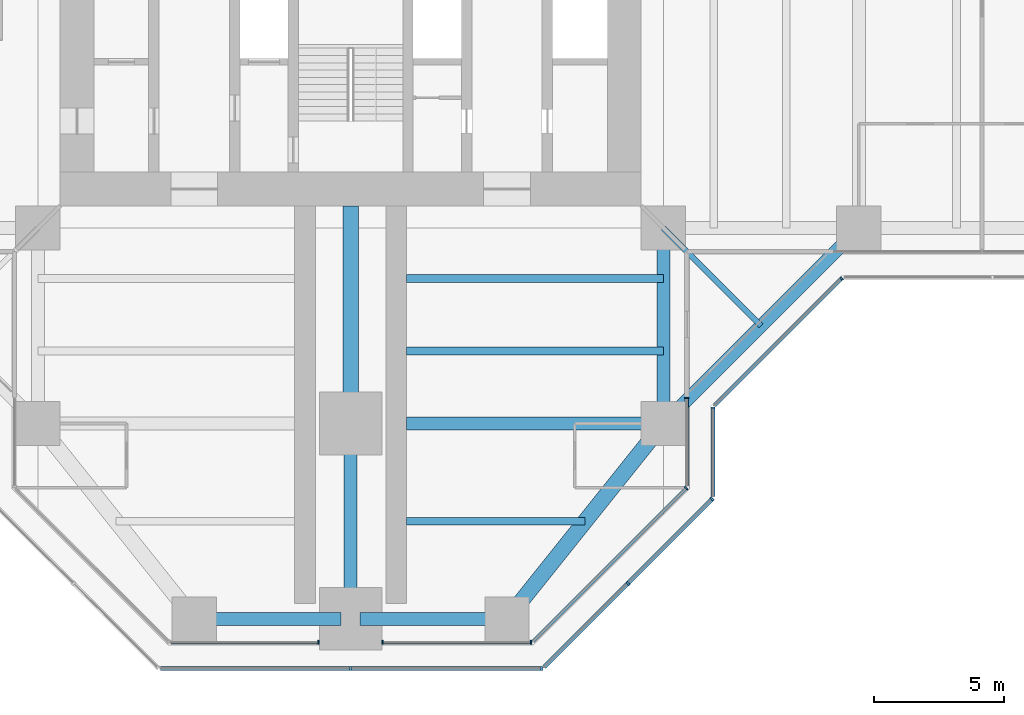
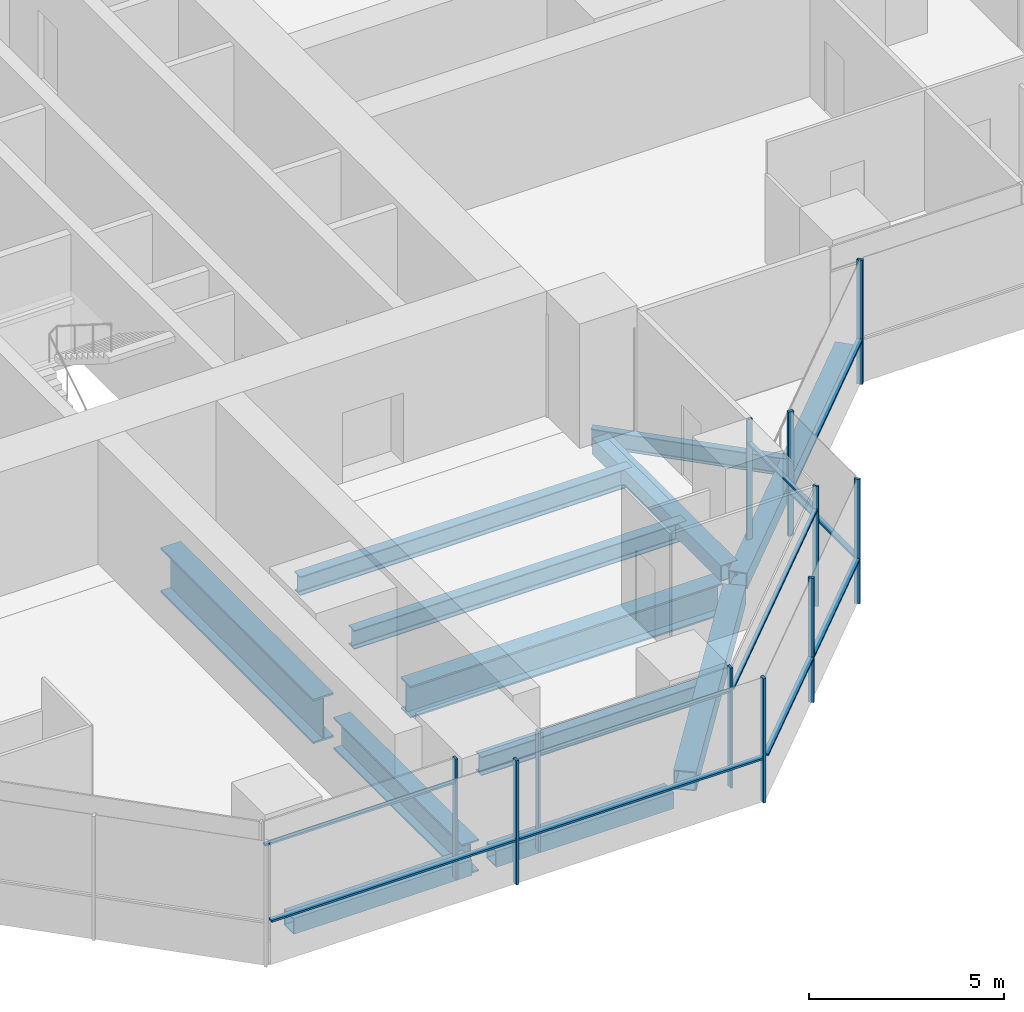
# One storey, part 4 of 20: 21 members, 12 beams, 8 elements without a shape of their own.
"""IFC4 building model written with IfcOpenShell, lengths in metres."""

import ifcopenshell
import ifcopenshell.guid

model = None  # the IFC model being written
_history = None  # IfcOwnerHistory: only IFC2X3 demands one
_inside = {}  # id of a spatial element -> (the spatial element, [elements in it])
_under = {}  # id of a project, library or spatial element -> (it, [spatial elements below it])
_declared = {}  # id of a project -> (the project, [libraries it declares])
_typed = {}  # id of a type object -> (the type object, [elements of that type])
_made_of = {}  # id of a material, layer set ... -> (it, [elements and type objects made of it])


def new_model(schema):
    """Start an empty IFC model of exactly this schema.

    Asked for "IFC4X3", IfcOpenShell would pick the latest addendum, in which some entities
    have other attributes; the version numbers below select the first issue.
    IFC2X3 requires an IfcOwnerHistory on every rooted entity: one is made here for all.
    """
    global model, _history
    if schema == "IFC4X3":
        model = ifcopenshell.file(schema_version=(4, 3, 0, 0))
    else:
        model = ifcopenshell.file(schema=schema)
    _inside.clear()
    _under.clear()
    _declared.clear()
    _typed.clear()
    _made_of.clear()
    _history = None
    if model.schema == "IFC2X3":
        org = make("IfcOrganization", Name="unknown")
        user = make(
            "IfcPersonAndOrganization",
            ThePerson=make("IfcPerson", FamilyName="unknown"),
            TheOrganization=org,
        )
        app = make(
            "IfcApplication",
            ApplicationDeveloper=org,
            Version="unknown",
            ApplicationFullName="unknown",
            ApplicationIdentifier="unknown",
        )
        _history = make(
            "IfcOwnerHistory",
            OwningUser=user,
            OwningApplication=app,
            ChangeAction="ADDED",
            CreationDate=0,
        )
    return model


def make(cls, **values):
    """One entity of the class cls with the attributes given. An attribute that is None is left unset."""
    return model.create_entity(
        cls, **{name: value for name, value in values.items() if value is not None}
    )


def rooted(cls, **values):
    """An entity with a GlobalId (a new one), such as an element, a storey or a relation."""
    return make(cls, GlobalId=ifcopenshell.guid.new(), OwnerHistory=_history, **values)


def si_unit(unit_type, name, prefix=None):
    """IfcSIUnit, for example si_unit("LENGTHUNIT", "METRE", prefix="MILLI")."""
    return make("IfcSIUnit", UnitType=unit_type, Prefix=prefix, Name=name)


def assignment(units):
    """IfcUnitAssignment: the units of a project."""
    return None if units is None else make("IfcUnitAssignment", Units=units)


def point(xyz):
    """IfcCartesianPoint."""
    return None if xyz is None else make("IfcCartesianPoint", Coordinates=xyz)


def direction(xyz):
    """IfcDirection."""
    return None if xyz is None else make("IfcDirection", DirectionRatios=xyz)


def frame(location, z_axis=None, x_axis=None):
    """IfcAxis2Placement3D, a coordinate frame: its origin and axes. An axis left out is left unset."""
    return make(
        "IfcAxis2Placement3D",
        Location=point(location),
        Axis=direction(z_axis),
        RefDirection=direction(x_axis),
    )


def frame_2d(location, x_axis=None):
    """IfcAxis2Placement2D, a coordinate frame in the plane: its origin and x axis."""
    return make(
        "IfcAxis2Placement2D", Location=point(location), RefDirection=direction(x_axis)
    )


def origin():
    """The frame at (0, 0, 0) with its axes left unset."""
    return frame((0.0, 0.0, 0.0))


def origin_2d():
    """The frame at (0, 0) in the plane with its x axis left unset."""
    return frame_2d((0.0, 0.0))


def place(relative_to, where):
    """IfcLocalPlacement: puts the frame where relative to a parent placement (None: the world)."""
    return make(
        "IfcLocalPlacement", PlacementRelTo=relative_to, RelativePlacement=where
    )


def context(
    kind, dimensions, precision=None, world=None, true_north=None, identifier=None
):
    """IfcGeometricRepresentationContext, for example the 3D "Model" context."""
    return make(
        "IfcGeometricRepresentationContext",
        ContextIdentifier=identifier,
        ContextType=kind,
        CoordinateSpaceDimension=dimensions,
        Precision=precision,
        WorldCoordinateSystem=world,
        TrueNorth=true_north,
    )


def subcontext(parent, identifier, kind, view, scale=None):
    """IfcGeometricRepresentationSubContext, for example "Body" below "Model"."""
    return make(
        "IfcGeometricRepresentationSubContext",
        ContextIdentifier=identifier,
        ContextType=kind,
        ParentContext=parent,
        TargetScale=scale,
        TargetView=view,
    )


def project(units=None, contexts=None):
    """IfcProject with its units and contexts."""
    return rooted(
        "IfcProject",
        Name="project",
        RepresentationContexts=contexts,
        UnitsInContext=assignment(units),
    )


def spatial(cls, under=None, at=None, **own):
    """A site, building, storey or space (cls), placed at a placement, below another one or the project."""
    s = rooted(cls, ObjectPlacement=at, **own)
    if under is not None:
        _under.setdefault(under.id(), (under, []))[1].append(s)
    return s


def profile(cls, at=None, kind="AREA", **sizes):
    """A parametric profile (cls). Its sizes go by their IFC names, for example OverallWidth=200.0."""
    return make(cls, ProfileType=kind, Position=at, **sizes)


def rectangle(**sizes):
    """IfcRectangleProfileDef."""
    return profile("IfcRectangleProfileDef", **sizes)


def hollow_rectangle(**sizes):
    """IfcRectangleHollowProfileDef."""
    return profile("IfcRectangleHollowProfileDef", **sizes)


def i_section(**sizes):
    """IfcIShapeProfileDef."""
    return profile("IfcIShapeProfileDef", **sizes)


def extrude(swept, where, along, depth):
    """IfcExtrudedAreaSolid: the profile swept, set in the frame where, extruded along a direction by depth."""
    return make(
        "IfcExtrudedAreaSolid",
        SweptArea=swept,
        Position=where,
        ExtrudedDirection=direction(along),
        Depth=depth,
    )


def shape(context_of_items, identifier, shape_type, items):
    """IfcShapeRepresentation: the items that make up one representation, for example the "Body"."""
    return make(
        "IfcShapeRepresentation",
        ContextOfItems=context_of_items,
        RepresentationIdentifier=identifier,
        RepresentationType=shape_type,
        Items=items,
    )


def material(Name=None, Category=None):
    """IfcMaterial."""
    return make("IfcMaterial", Name=Name, Category=Category)


def material_profile(
    of_material, cross_section, Name=None, Category=None, Priority=None
):
    """IfcMaterialProfile: a cross section and its material."""
    return make(
        "IfcMaterialProfile",
        Name=Name,
        Material=of_material,
        Profile=cross_section,
        Priority=Priority,
        Category=Category,
    )


def profile_set(profiles, Name=None, composite=None):
    """IfcMaterialProfileSet."""
    return make(
        "IfcMaterialProfileSet",
        Name=Name,
        MaterialProfiles=profiles,
        CompositeProfile=composite,
    )


def made_of(thing, what):
    """Note that an element or type object is made of a material, layer set ...; save() writes the relation."""
    if what is not None:
        _made_of.setdefault(what.id(), (what, []))[1].append(thing)
    return thing


def type_object(cls, material=None, **own):
    """A type object (cls), such as IfcWallType, which elements share."""
    return made_of(rooted(cls, **own), material)


def element(
    cls,
    number,
    at=None,
    inside=None,
    cuts=None,
    type_object=None,
    material=None,
    context=None,
    identifier="Body",
    shape_type=None,
    held_by="IfcProductDefinitionShape",
    body=None,
    shapes=None,
    **own,
):
    """One element of the class cls, such as IfcWall. Its Tag is "e" and its number.

    at: its placement. inside: the storey or other place that contains it. cuts: it is an
    opening in that element (IfcRelVoidsElement). A single representation is given by context,
    identifier, shape_type and body (its items); several are given by shapes. held_by: the class
    of the entity that holds the representations. save() writes the other relations.
    """
    e = rooted(cls, Tag="e%d" % number, ObjectPlacement=at, **own)
    if body is not None:
        shapes = [shape(context, identifier, shape_type, body)]
    if shapes is not None:
        e.Representation = make(held_by, Representations=shapes)
    if inside is not None:
        _inside.setdefault(inside.id(), (inside, []))[1].append(e)
    if cuts is not None:
        rooted(
            "IfcRelVoidsElement", RelatingBuildingElement=cuts, RelatedOpeningElement=e
        )
    if type_object is not None:
        _typed.setdefault(type_object.id(), (type_object, []))[1].append(e)
    return made_of(e, material)


def aggregate(whole, parts):
    """IfcRelAggregates: a whole, such as a stair, and the parts it consists of."""
    return rooted("IfcRelAggregates", RelatingObject=whole, RelatedObjects=parts)


def save(model, path):
    """Write the relations noted so far, then the file.

    IfcRelAggregates (storeys below a building ...), IfcRelContainedInSpatialStructure (elements
    in a storey), IfcRelDefinesByType, IfcRelAssociatesMaterial and IfcRelDeclares: one each for
    every whole, place, type object, material and project.
    """
    for whole, parts in _under.values():
        aggregate(whole, parts)
    for where, things in _inside.values():
        rooted(
            "IfcRelContainedInSpatialStructure",
            RelatedElements=things,
            RelatingStructure=where,
        )
    for kind, things in _typed.values():
        rooted("IfcRelDefinesByType", RelatedObjects=things, RelatingType=kind)
    for what, things in _made_of.values():
        rooted("IfcRelAssociatesMaterial", RelatedObjects=things, RelatingMaterial=what)
    for by, libraries in _declared.values():
        rooted("IfcRelDeclares", RelatingContext=by, RelatedDefinitions=libraries)
    model.write(path)


model = new_model("IFC4")

# Units and contexts
model_context = context("Model", 3, precision=1e-05, world=origin(), true_north=direction((0.0, 1.0)))
body_context = subcontext(model_context, "Body", "Model", "MODEL_VIEW")
ifc_project = project(units=[si_unit("LENGTHUNIT", "METRE"), si_unit("AREAUNIT", "SQUARE_METRE"), si_unit("VOLUMEUNIT", "CUBIC_METRE"), si_unit("PLANEANGLEUNIT", "RADIAN"), si_unit("MASSUNIT", "GRAM", prefix="KILO")], contexts=[model_context])

# Site, building, storey
site_placement = place(None, origin())
site = spatial("IfcSite", under=ifc_project, at=site_placement, CompositionType="ELEMENT")
building_placement = place(site_placement, origin())
building = spatial("IfcBuilding", under=site, at=building_placement, Name="Mizan Broadcast Tower", CompositionType="ELEMENT")
storey_placement = place(building_placement, frame((0.0, 0.0, 139.800048828125)))
storey = spatial("IfcBuildingStorey", under=building, at=storey_placement, Name="L31", CompositionType="ELEMENT", Elevation=139.800048828125)

# Beams
ifc_material_1 = material(Name="Steel S355", Category="steel")
ifc_material_profile_1 = material_profile(ifc_material_1, hollow_rectangle(XDim=0.5, YDim=0.5, WallThickness=0.030029296875, at=origin_2d()), Name="BOX 500x500x30")
ifc_profile_set_1 = profile_set([ifc_material_profile_1], Name="Steel S355")
beam_type_1 = type_object("IfcBeamType", Name="EDGE BEAM BOX 500x500x30", PredefinedType="SPANDREL", material=ifc_profile_set_1)
beam_1_placement = place(storey_placement, frame((-5.639892578125, -27.0, -0.380126953125), z_axis=(1.0, 0.0, 0.0), x_axis=(0.0, 1.0, 0.0)))
element("IfcBeam", 1, at=beam_1_placement, inside=storey, type_object=beam_type_1, Name="Edge beam BOX 500x500x30 L31 south arm", PredefinedType="SPANDREL", context=body_context, shape_type="SweptSolid", body=[
    extrude(hollow_rectangle(XDim=0.5, YDim=0.5, WallThickness=0.030029296875, at=origin_2d()), origin(), (0.0, 0.0, 1.0), 5.27978515625),
])
beam_2_placement = place(storey_placement, frame((12.0, -12.449951171875, -0.380126953125), z_axis=(0.0, -1.0, 0.0), x_axis=(1.0, 0.0, 0.0)))
element("IfcBeam", 2, at=beam_2_placement, inside=storey, type_object=beam_type_1, Name="Edge beam BOX 500x500x30 L31 south arm", PredefinedType="SPANDREL", context=body_context, shape_type="SweptSolid", body=[
    extrude(hollow_rectangle(XDim=0.5, YDim=0.5, WallThickness=0.030029296875, at=origin_2d()), origin(), (0.0, 0.0, 1.0), 6.60009765625),
])
beam_3_placement = place(storey_placement, frame((5.639892578125, -27.0, -0.380126953125), z_axis=(-1.0, 0.0, 0.0), x_axis=(0.0, -1.0, 0.0)))
element("IfcBeam", 3, at=beam_3_placement, inside=storey, type_object=beam_type_1, Name="Edge beam BOX 500x500x30 L31 south arm", PredefinedType="SPANDREL", context=body_context, shape_type="SweptSolid", body=[
    extrude(hollow_rectangle(XDim=0.5, YDim=0.5, WallThickness=0.030029296875, at=origin_2d()), origin(), (0.0, 0.0, 1.0), 5.27978515625),
])
beam_4_placement = place(storey_placement, frame((12.0, -19.5, -0.380126953125), z_axis=(0.707106781187, 0.707106781187, 0.0), x_axis=(-0.707106781187, 0.707106781187, 0.0)))
element("IfcBeam", 4, at=beam_4_placement, inside=storey, type_object=beam_type_1, Name="Winter garden edge beam L31 S", PredefinedType="SPANDREL", context=body_context, shape_type="SweptSolid", body=[
    extrude(hollow_rectangle(XDim=0.5, YDim=0.5, WallThickness=0.030029296875, at=origin_2d()), origin(), (0.0, 0.0, 1.0), 10.606689453125),
])
ifc_material_2 = material(Name="Steel S355", Category="steel")
ifc_material_profile_2 = material_profile(ifc_material_2, hollow_rectangle(XDim=0.60009765625, YDim=0.60009765625, WallThickness=0.030029296875, at=origin_2d()), Name="BOX 600x600x30")
ifc_profile_set_2 = profile_set([ifc_material_profile_2], Name="Steel S355")
beam_type_2 = type_object("IfcBeamType", Name="EDGE BEAM BOX 600x600x30", PredefinedType="SPANDREL", material=ifc_profile_set_2)
beam_5_placement = place(storey_placement, frame((11.639892578125, -19.949951171875, -0.429931640625), z_axis=(-0.624673911726, -0.780885717636, 0.0), x_axis=(0.780885717636, -0.624673911726, 0.0)))
element("IfcBeam", 5, at=beam_5_placement, inside=storey, type_object=beam_type_2, Name="Edge beam BOX 600x600x30 L31 south arm", PredefinedType="SPANDREL", context=body_context, shape_type="SweptSolid", body=[
    extrude(hollow_rectangle(XDim=0.60009765625, YDim=0.60009765625, WallThickness=0.030029296875, at=origin_2d()), origin(), (0.0, 0.0, 1.0), 8.4521484375),
])
ifc_material_3 = material(Name="Steel S460", Category="steel")
ifc_material_profile_3 = material_profile(ifc_material_3, i_section(OverallWidth=0.5, OverallDepth=1.0, WebThickness=0.02490234375, FlangeThickness=0.050048828125, at=origin_2d()), Name="WPG 1000x500")
ifc_profile_set_3 = profile_set([ifc_material_profile_3], Name="Steel S460")
beam_type_3 = type_object("IfcBeamType", Name="GIRDER WPG 1000x500", PredefinedType="BEAM", material=ifc_profile_set_3)
beam_6_placement = place(storey_placement, frame((0.0, -19.949951171875, -0.630126953125), z_axis=(0.0, -1.0, 0.0), x_axis=(1.0, 0.0, 0.0)))
element("IfcBeam", 6, at=beam_6_placement, inside=storey, type_object=beam_type_3, Name="Girder WPG 1000x500 L31 south arm", PredefinedType="BEAM", context=body_context, shape_type="SweptSolid", body=[
    extrude(i_section(OverallWidth=0.5, OverallDepth=1.0, WebThickness=0.02490234375, FlangeThickness=0.050048828125, at=origin_2d()), origin(), (0.0, 0.0, 1.0), 6.60009765625),
])
beam_7_placement = place(storey_placement, frame((11.408935546875, -19.5, -0.630126953125), z_axis=(-1.0, 0.0, 0.0), x_axis=(0.0, -1.0, 0.0)))
element("IfcBeam", 7, at=beam_7_placement, inside=storey, type_object=beam_type_3, Name="Girder WPG 1000x500 L31 south arm", PredefinedType="BEAM", context=body_context, shape_type="SweptSolid", body=[
    extrude(i_section(OverallWidth=0.5, OverallDepth=1.0, WebThickness=0.02490234375, FlangeThickness=0.050048828125, at=origin_2d()), origin(), (0.0, 0.0, 1.0), 9.259033203125),
])
ifc_material_4 = material(Name="Steel S460", Category="steel")
ifc_material_profile_4 = material_profile(ifc_material_4, i_section(OverallWidth=0.60009765625, OverallDepth=1.39990234375, WebThickness=0.02490234375, FlangeThickness=0.06005859375, at=origin_2d()), Name="WPG 1400x600")
ifc_profile_set_4 = profile_set([ifc_material_profile_4], Name="Steel S460")
beam_type_4 = type_object("IfcBeamType", Name="GIRDER WPG 1400x600", PredefinedType="BEAM", material=ifc_profile_set_4)
beam_8_placement = place(storey_placement, frame((0.0, -11.14990234375, -0.830078125), z_axis=(0.0, -1.0, 0.0), x_axis=(1.0, 0.0, 0.0)))
element("IfcBeam", 8, at=beam_8_placement, inside=storey, type_object=beam_type_4, Name="Girder WPG 1400x600 L31 south arm", PredefinedType="BEAM", context=body_context, shape_type="SweptSolid", body=[
    extrude(i_section(OverallWidth=0.60009765625, OverallDepth=1.39990234375, WebThickness=0.02490234375, FlangeThickness=0.06005859375, at=origin_2d()), origin(), (0.0, 0.0, 1.0), 7.84912109375),
])

# Curtain wall, member
ifc_material_5 = material(Name="Aluminium framed glazing", Category="aluminium")
curtain_wall_type_1 = type_object("IfcCurtainWallType", Name="INNER SKIN MID ZONE", PredefinedType="USERDEFINED", material=ifc_material_5)
curtain_wall_1_placement = place(storey_placement, origin())
curtain_wall_1 = element("IfcCurtainWall", 9, at=curtain_wall_1_placement, inside=storey, type_object=curtain_wall_type_1, Name="Inner skin mid zone L31 S end", ObjectType="INNER SKIN MID ZONE", PredefinedType="USERDEFINED")
ifc_material_6 = material(Name="Aluminium, pale anodised", Category="aluminium")
ifc_material_profile_5 = material_profile(ifc_material_6, rectangle(XDim=0.159912109375, YDim=0.06005859375, at=origin_2d()), Name="MULLION 160x60")
ifc_profile_set_5 = profile_set([ifc_material_profile_5], Name="Aluminium, pale anodised")
member_type_1 = type_object("IfcMemberType", Name="INNER SKIN MULLION 60x160", PredefinedType="MULLION", material=ifc_profile_set_5)
member_1_placement = place(storey_placement, frame((-1.22998046875, -27.89990234375, 0.0), z_axis=(0.0, 0.0, 1.0), x_axis=(0.0, 1.0, 0.0)))
member_1 = element("IfcMember", 10, at=member_1_placement, type_object=member_type_1, Name="Inner skin mid zone L31 S end mullion 2", PredefinedType="MULLION", context=body_context, shape_type="SweptSolid", body=[
    extrude(rectangle(XDim=0.159912109375, YDim=0.06005859375, at=origin_2d()), origin(), (0.0, 0.0, 1.0), 3.77001953125),
])

# Curtain wall, members
curtain_wall_2_placement = place(storey_placement, origin())
curtain_wall_2 = element("IfcCurtainWall", 11, at=curtain_wall_2_placement, inside=storey, type_object=curtain_wall_type_1, Name="Inner skin mid zone L31 S end", ObjectType="INNER SKIN MID ZONE", PredefinedType="USERDEFINED")
member_2_placement = place(storey_placement, frame((1.22998046875, -27.89990234375, 0.0), z_axis=(0.0, 0.0, 1.0), x_axis=(0.0, 1.0, 0.0)))
member_2 = element("IfcMember", 12, at=member_2_placement, type_object=member_type_1, Name="Inner skin mid zone L31 S end mullion 1", PredefinedType="MULLION", context=body_context, shape_type="SweptSolid", body=[
    extrude(rectangle(XDim=0.159912109375, YDim=0.06005859375, at=origin_2d()), origin(), (0.0, 0.0, 1.0), 3.77001953125),
])
member_3_placement = place(storey_placement, frame((6.928466796875, -27.89990234375, 0.0), z_axis=(0.0, 0.0, 1.0), x_axis=(0.0, 1.0, 0.0)))
member_3 = element("IfcMember", 13, at=member_3_placement, type_object=member_type_1, Name="Inner skin mid zone L31 S end mullion 2", PredefinedType="MULLION", context=body_context, shape_type="SweptSolid", body=[
    extrude(rectangle(XDim=0.159912109375, YDim=0.06005859375, at=origin_2d()), origin(), (0.0, 0.0, 1.0), 3.77001953125),
])

# Curtain wall, member
curtain_wall_3_placement = place(storey_placement, origin())
curtain_wall_3 = element("IfcCurtainWall", 14, at=curtain_wall_3_placement, inside=storey, type_object=curtain_wall_type_1, Name="Inner skin mid zone L31 S chamfer", ObjectType="INNER SKIN MID ZONE", PredefinedType="USERDEFINED")
member_4_placement = place(storey_placement, frame((12.87890625, -21.979736328125, 0.0), z_axis=(0.0, 0.0, 1.0), x_axis=(-0.707106781187, 0.707106781187, 0.0)))
member_4 = element("IfcMember", 15, at=member_4_placement, type_object=member_type_1, Name="Inner skin mid zone L31 S chamfer mullion 2", PredefinedType="MULLION", context=body_context, shape_type="SweptSolid", body=[
    extrude(rectangle(XDim=0.159912109375, YDim=0.06005859375, at=origin_2d()), origin(), (0.0, 0.0, 1.0), 3.77001953125),
])

curtain_wall_4_placement = place(storey_placement, origin())
curtain_wall_4 = element("IfcCurtainWall", 16, at=curtain_wall_4_placement, inside=storey, type_object=curtain_wall_type_1, Name="Inner skin mid zone L31 S side", ObjectType="INNER SKIN MID ZONE", PredefinedType="USERDEFINED")
member_5_placement = place(storey_placement, frame((12.89990234375, -18.530029296875, 0.0), z_axis=(0.0, 0.0, 1.0), x_axis=(-1.0, 0.0, 0.0)))
member_5 = element("IfcMember", 17, at=member_5_placement, type_object=member_type_1, Name="Inner skin mid zone L31 S side mullion 2", PredefinedType="MULLION", context=body_context, shape_type="SweptSolid", body=[
    extrude(rectangle(XDim=0.159912109375, YDim=0.06005859375, at=origin_2d()), origin(), (0.0, 0.0, 1.0), 3.77001953125),
])

# Member
ifc_material_7 = material(Name="Aluminium, pale anodised", Category="aluminium")
ifc_material_profile_6 = material_profile(ifc_material_7, rectangle(XDim=0.1201171875, YDim=0.06005859375, at=origin_2d()), Name="TRANSOM 120x60")
ifc_profile_set_6 = profile_set([ifc_material_profile_6], Name="Aluminium, pale anodised")
member_type_2 = type_object("IfcMemberType", Name="INNER SKIN TRANSOM 60x120", PredefinedType="USERDEFINED", material=ifc_profile_set_6)
member_6_placement = place(storey_placement, frame((-6.898681640625, -27.89990234375, 3.030029296875), z_axis=(1.0, 0.0, 0.0), x_axis=(0.0, 1.0, 0.0)))
member_6 = element("IfcMember", 18, at=member_6_placement, type_object=member_type_2, Name="Inner skin mid zone L31 S end transom 1.1", ObjectType="TRANSOM", PredefinedType="USERDEFINED", context=body_context, shape_type="SweptSolid", body=[
    extrude(rectangle(XDim=0.1201171875, YDim=0.06005859375, at=origin_2d()), origin(), (0.0, 0.0, 1.0), 5.638671875),
])

aggregate(curtain_wall_1, [member_1, member_6])

member_7_placement = place(storey_placement, frame((1.260009765625, -27.89990234375, 3.030029296875), z_axis=(1.0, 0.0, 0.0), x_axis=(0.0, 1.0, 0.0)))
member_7 = element("IfcMember", 19, at=member_7_placement, type_object=member_type_2, Name="Inner skin mid zone L31 S end transom 1.1", ObjectType="TRANSOM", PredefinedType="USERDEFINED", context=body_context, shape_type="SweptSolid", body=[
    extrude(rectangle(XDim=0.1201171875, YDim=0.06005859375, at=origin_2d()), origin(), (0.0, 0.0, 1.0), 5.638671875),
])

aggregate(curtain_wall_2, [member_2, member_3, member_7])

member_8_placement = place(storey_placement, frame((7.0009765625, -27.857666015625, 3.030029296875), z_axis=(0.707106781187, 0.707106781187, 0.0), x_axis=(-0.707106781187, 0.707106781187, 0.0)))
member_8 = element("IfcMember", 20, at=member_8_placement, type_object=member_type_2, Name="Inner skin mid zone L31 S chamfer transom 1.1", ObjectType="TRANSOM", PredefinedType="USERDEFINED", context=body_context, shape_type="SweptSolid", body=[
    extrude(rectangle(XDim=0.1201171875, YDim=0.06005859375, at=origin_2d()), origin(), (0.0, 0.0, 1.0), 8.28271484375),
])

aggregate(curtain_wall_3, [member_4, member_8])

member_9_placement = place(storey_placement, frame((12.89990234375, -21.898681640625, 3.030029296875), z_axis=(0.0, 1.0, 0.0), x_axis=(-1.0, 0.0, 0.0)))
member_9 = element("IfcMember", 21, at=member_9_placement, type_object=member_type_2, Name="Inner skin mid zone L31 S side transom 1.1", ObjectType="TRANSOM", PredefinedType="USERDEFINED", context=body_context, shape_type="SweptSolid", body=[
    extrude(rectangle(XDim=0.1201171875, YDim=0.06005859375, at=origin_2d()), origin(), (0.0, 0.0, 1.0), 3.338623046875),
])

aggregate(curtain_wall_4, [member_5, member_9])

# Curtain wall, members
ifc_material_8 = material(Name="Aluminium framed glazing", Category="aluminium")
curtain_wall_type_2 = type_object("IfcCurtainWallType", Name="OUTER SKIN", PredefinedType="USERDEFINED", material=ifc_material_8)
curtain_wall_5_placement = place(storey_placement, origin())
curtain_wall_5 = element("IfcCurtainWall", 22, at=curtain_wall_5_placement, inside=storey, type_object=curtain_wall_type_2, Name="Outer skin L31 S end", ObjectType="OUTER SKIN", PredefinedType="USERDEFINED")
ifc_material_9 = material(Name="Aluminium, pale anodised", Category="aluminium")
ifc_material_profile_7 = material_profile(ifc_material_9, rectangle(XDim=0.159912109375, YDim=0.080078125, at=origin_2d()), Name="MULLION 160x80")
ifc_profile_set_7 = profile_set([ifc_material_profile_7], Name="Aluminium, pale anodised")
member_type_3 = type_object("IfcMemberType", Name="OUTER SKIN MULLION 80x160", PredefinedType="MULLION", material=ifc_profile_set_7)
member_10_placement = place(storey_placement, frame((0.0, -28.89990234375, 0.0), z_axis=(0.0, 0.0, 1.0), x_axis=(0.0, 1.0, 0.0)))
member_10 = element("IfcMember", 23, at=member_10_placement, type_object=member_type_3, Name="Outer skin L31 S end mullion 2", PredefinedType="MULLION", context=body_context, shape_type="SweptSolid", body=[
    extrude(rectangle(XDim=0.159912109375, YDim=0.080078125, at=origin_2d()), origin(), (0.0, 0.0, 1.0), 3.89990234375),
])
member_11_placement = place(storey_placement, frame((7.332763671875, -28.89990234375, 0.0), z_axis=(0.0, 0.0, 1.0), x_axis=(0.0, 1.0, 0.0)))
member_11 = element("IfcMember", 24, at=member_11_placement, type_object=member_type_3, Name="Outer skin L31 S end mullion 3", PredefinedType="MULLION", context=body_context, shape_type="SweptSolid", body=[
    extrude(rectangle(XDim=0.159912109375, YDim=0.080078125, at=origin_2d()), origin(), (0.0, 0.0, 1.0), 3.89990234375),
])

curtain_wall_6_placement = place(storey_placement, origin())
curtain_wall_6 = element("IfcCurtainWall", 25, at=curtain_wall_6_placement, inside=storey, type_object=curtain_wall_type_2, Name="Outer skin L31 S chamfer", ObjectType="OUTER SKIN", PredefinedType="USERDEFINED")
member_12_placement = place(storey_placement, frame((10.636474609375, -25.636474609375, 0.0), z_axis=(0.0, 0.0, 1.0), x_axis=(-0.707106781187, 0.707106781187, 0.0)))
member_12 = element("IfcMember", 26, at=member_12_placement, type_object=member_type_3, Name="Outer skin L31 S chamfer mullion 2", PredefinedType="MULLION", context=body_context, shape_type="SweptSolid", body=[
    extrude(rectangle(XDim=0.159912109375, YDim=0.080078125, at=origin_2d()), origin(), (0.0, 0.0, 1.0), 3.89990234375),
])
member_13_placement = place(storey_placement, frame((13.871826171875, -22.401123046875, 0.0), z_axis=(0.0, 0.0, 1.0), x_axis=(-0.707106781187, 0.707106781187, 0.0)))
member_13 = element("IfcMember", 27, at=member_13_placement, type_object=member_type_3, Name="Outer skin L31 S chamfer mullion 3", PredefinedType="MULLION", context=body_context, shape_type="SweptSolid", body=[
    extrude(rectangle(XDim=0.159912109375, YDim=0.080078125, at=origin_2d()), origin(), (0.0, 0.0, 1.0), 3.89990234375),
])

# Curtain wall, member
curtain_wall_7_placement = place(storey_placement, origin())
curtain_wall_7 = element("IfcCurtainWall", 28, at=curtain_wall_7_placement, inside=storey, type_object=curtain_wall_type_2, Name="Outer skin L31 S side", ObjectType="OUTER SKIN", PredefinedType="USERDEFINED")
member_14_placement = place(storey_placement, frame((13.89990234375, -18.912841796875, 0.0), z_axis=(0.0, 0.0, 1.0), x_axis=(-1.0, 0.0, 0.0)))
member_14 = element("IfcMember", 29, at=member_14_placement, type_object=member_type_3, Name="Outer skin L31 S side mullion 2", PredefinedType="MULLION", context=body_context, shape_type="SweptSolid", body=[
    extrude(rectangle(XDim=0.159912109375, YDim=0.080078125, at=origin_2d()), origin(), (0.0, 0.0, 1.0), 3.89990234375),
])

curtain_wall_8_placement = place(storey_placement, origin())
curtain_wall_8 = element("IfcCurtainWall", 30, at=curtain_wall_8_placement, inside=storey, type_object=curtain_wall_type_2, Name="Outer skin L31 E chamfer", ObjectType="OUTER SKIN", PredefinedType="USERDEFINED")
member_15_placement = place(storey_placement, frame((18.844482421875, -13.92822265625, 0.0), z_axis=(0.0, 0.0, 1.0), x_axis=(-0.707106781187, 0.707106781187, 0.0)))
member_15 = element("IfcMember", 31, at=member_15_placement, type_object=member_type_3, Name="Outer skin L31 E chamfer mullion 2", PredefinedType="MULLION", context=body_context, shape_type="SweptSolid", body=[
    extrude(rectangle(XDim=0.159912109375, YDim=0.080078125, at=origin_2d()), origin(), (0.0, 0.0, 1.0), 3.89990234375),
])

# Member
ifc_material_10 = material(Name="Aluminium, pale anodised", Category="aluminium")
ifc_material_profile_8 = material_profile(ifc_material_10, rectangle(XDim=0.159912109375, YDim=0.06005859375, at=origin_2d()), Name="TRANSOM 160x60")
ifc_profile_set_8 = profile_set([ifc_material_profile_8], Name="Aluminium, pale anodised")
member_type_4 = type_object("IfcMemberType", Name="OUTER SKIN TRANSOM 60x160", PredefinedType="USERDEFINED", material=ifc_profile_set_8)
member_16_placement = place(storey_placement, frame((-7.292724609375, -28.89990234375, 1.39990234375), z_axis=(1.0, 0.0, 0.0), x_axis=(0.0, 1.0, 0.0)))
member_16 = element("IfcMember", 32, at=member_16_placement, type_object=member_type_4, Name="Outer skin L31 S end transom 1.1", ObjectType="TRANSOM", PredefinedType="USERDEFINED", context=body_context, shape_type="SweptSolid", body=[
    extrude(rectangle(XDim=0.159912109375, YDim=0.06005859375, at=origin_2d()), origin(), (0.0, 0.0, 1.0), 7.252685546875),
])

member_17_placement = place(storey_placement, frame((0.0400390625, -28.89990234375, 1.39990234375), z_axis=(1.0, 0.0, 0.0), x_axis=(0.0, 1.0, 0.0)))
member_17 = element("IfcMember", 33, at=member_17_placement, type_object=member_type_4, Name="Outer skin L31 S end transom 2.1", ObjectType="TRANSOM", PredefinedType="USERDEFINED", context=body_context, shape_type="SweptSolid", body=[
    extrude(rectangle(XDim=0.159912109375, YDim=0.06005859375, at=origin_2d()), origin(), (0.0, 0.0, 1.0), 7.252685546875),
])

aggregate(curtain_wall_5, [member_10, member_11, member_16, member_17])

member_18_placement = place(storey_placement, frame((7.429443359375, -28.843505859375, 1.39990234375), z_axis=(0.707106781187, 0.707106781187, 0.0), x_axis=(-0.707106781187, 0.707106781187, 0.0)))
member_18 = element("IfcMember", 34, at=member_18_placement, type_object=member_type_4, Name="Outer skin L31 S chamfer transom 1.1", ObjectType="TRANSOM", PredefinedType="USERDEFINED", context=body_context, shape_type="SweptSolid", body=[
    extrude(rectangle(XDim=0.159912109375, YDim=0.06005859375, at=origin_2d()), origin(), (0.0, 0.0, 1.0), 4.495361328125),
])

member_19_placement = place(storey_placement, frame((10.664794921875, -25.608154296875, 1.39990234375), z_axis=(0.707106781187, 0.707106781187, 0.0), x_axis=(-0.707106781187, 0.707106781187, 0.0)))
member_19 = element("IfcMember", 35, at=member_19_placement, type_object=member_type_4, Name="Outer skin L31 S chamfer transom 2.1", ObjectType="TRANSOM", PredefinedType="USERDEFINED", context=body_context, shape_type="SweptSolid", body=[
    extrude(rectangle(XDim=0.159912109375, YDim=0.06005859375, at=origin_2d()), origin(), (0.0, 0.0, 1.0), 4.495361328125),
])

aggregate(curtain_wall_6, [member_12, member_13, member_18, member_19])

member_20_placement = place(storey_placement, frame((13.89990234375, -22.292724609375, 1.39990234375), z_axis=(0.0, 1.0, 0.0), x_axis=(-1.0, 0.0, 0.0)))
member_20 = element("IfcMember", 36, at=member_20_placement, type_object=member_type_4, Name="Outer skin L31 S side transom 1.1", ObjectType="TRANSOM", PredefinedType="USERDEFINED", context=body_context, shape_type="SweptSolid", body=[
    extrude(rectangle(XDim=0.159912109375, YDim=0.06005859375, at=origin_2d()), origin(), (0.0, 0.0, 1.0), 3.33984375),
])

aggregate(curtain_wall_7, [member_14, member_20])

member_21_placement = place(storey_placement, frame((13.95654296875, -18.816162109375, 1.39990234375), z_axis=(0.707106781187, 0.707106781187, 0.0), x_axis=(-0.707106781187, 0.707106781187, 0.0)))
member_21 = element("IfcMember", 37, at=member_21_placement, type_object=member_type_4, Name="Outer skin L31 E chamfer transom 1.1", ObjectType="TRANSOM", PredefinedType="USERDEFINED", context=body_context, shape_type="SweptSolid", body=[
    extrude(rectangle(XDim=0.159912109375, YDim=0.06005859375, at=origin_2d()), origin(), (0.0, 0.0, 1.0), 6.87255859375),
])

aggregate(curtain_wall_8, [member_15, member_21])

# Beams
ifc_material_11 = material(Name="Steel S355", Category="steel")
ifc_material_profile_9 = material_profile(ifc_material_11, i_section(OverallWidth=0.300048828125, OverallDepth=0.590087890625, WebThickness=0.012939453125, FlangeThickness=0.02490234375, FilletRadius=0.027099609375, at=origin_2d()), Name="HEA 600")
ifc_profile_set_9 = profile_set([ifc_material_profile_9], Name="Steel S355")
beam_type_5 = type_object("IfcBeamType", Name="SECONDARY BEAM HEA 600", PredefinedType="JOIST", material=ifc_profile_set_9)
for number, where, z_axis, x_axis, name in (
    (38, (12.0, -13.933349609375, -0.425048828125), (-1.0, 0.0, 0.0), (0.0, -1.0, 0.0), "Secondary beam HEA 600 L31 south arm"),
    (39, (12.0, -16.716552734375, -0.425048828125), (-1.0, 0.0, 0.0), (0.0, -1.0, 0.0), "Secondary beam HEA 600 L31 south arm"),
):
    element("IfcBeam", number, at=place(storey_placement, frame(where, z_axis=z_axis, x_axis=x_axis)), inside=storey, type_object=beam_type_5, Name=name, PredefinedType="JOIST", context=body_context, shape_type="SweptSolid", body=[
        extrude(i_section(OverallWidth=0.300048828125, OverallDepth=0.590087890625, WebThickness=0.012939453125, FlangeThickness=0.02490234375, FilletRadius=0.027099609375, at=origin_2d()), origin(), (0.0, 0.0, 1.0), 9.85009765625),
    ])
beam_9_placement = place(storey_placement, frame((9.0, -23.25, -0.425048828125), z_axis=(-1.0, 0.0, 0.0), x_axis=(0.0, -1.0, 0.0)))
element("IfcBeam", 40, at=beam_9_placement, inside=storey, type_object=beam_type_5, Name="Secondary beam HEA 600 L31 south arm", PredefinedType="JOIST", context=body_context, shape_type="SweptSolid", body=[
    extrude(i_section(OverallWidth=0.300048828125, OverallDepth=0.590087890625, WebThickness=0.012939453125, FlangeThickness=0.02490234375, FilletRadius=0.027099609375, at=origin_2d()), origin(), (0.0, 0.0, 1.0), 6.85009765625),
])
ifc_material_12 = material(Name="Steel S355", Category="steel")
ifc_material_profile_10 = material_profile(ifc_material_12, i_section(OverallWidth=0.2099609375, OverallDepth=0.550048828125, WebThickness=0.010986328125, FlangeThickness=0.01708984375, FilletRadius=0.02392578125, at=origin_2d()), Name="IPE 550")
ifc_profile_set_10 = profile_set([ifc_material_profile_10], Name="Steel S355")
beam_type_6 = type_object("IfcBeamType", Name="SECONDARY BEAM IPE 550", PredefinedType="JOIST", material=ifc_profile_set_10)
beam_10_placement = place(storey_placement, frame((12.0, -12.0, -0.405029296875), z_axis=(0.707106781187, -0.707106781187, 0.0), x_axis=(0.707106781187, 0.707106781187, 0.0)))
element("IfcBeam", 41, at=beam_10_placement, inside=storey, type_object=beam_type_6, Name="Winter garden beam L31 S", PredefinedType="JOIST", context=body_context, shape_type="SweptSolid", body=[
    extrude(i_section(OverallWidth=0.2099609375, OverallDepth=0.550048828125, WebThickness=0.010986328125, FlangeThickness=0.01708984375, FilletRadius=0.02392578125, at=origin_2d()), origin(), (0.0, 0.0, 1.0), 5.30322265625),
])

save(model, "model.ifc")
